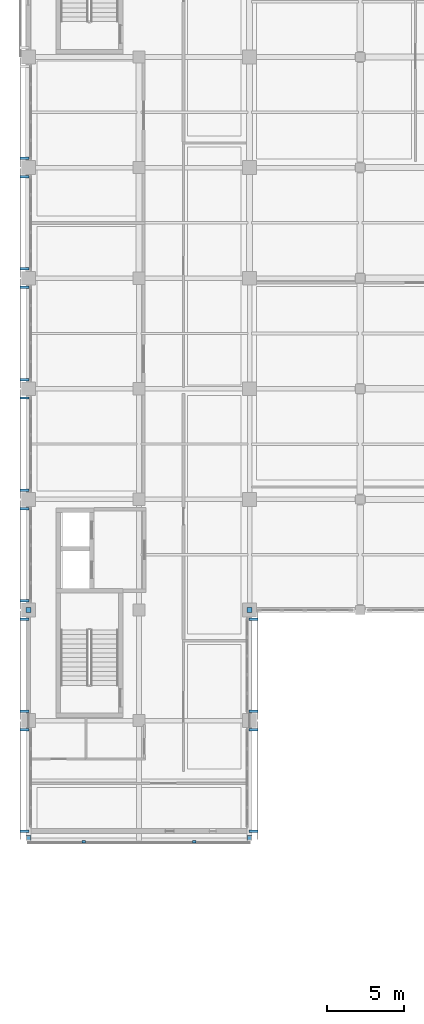
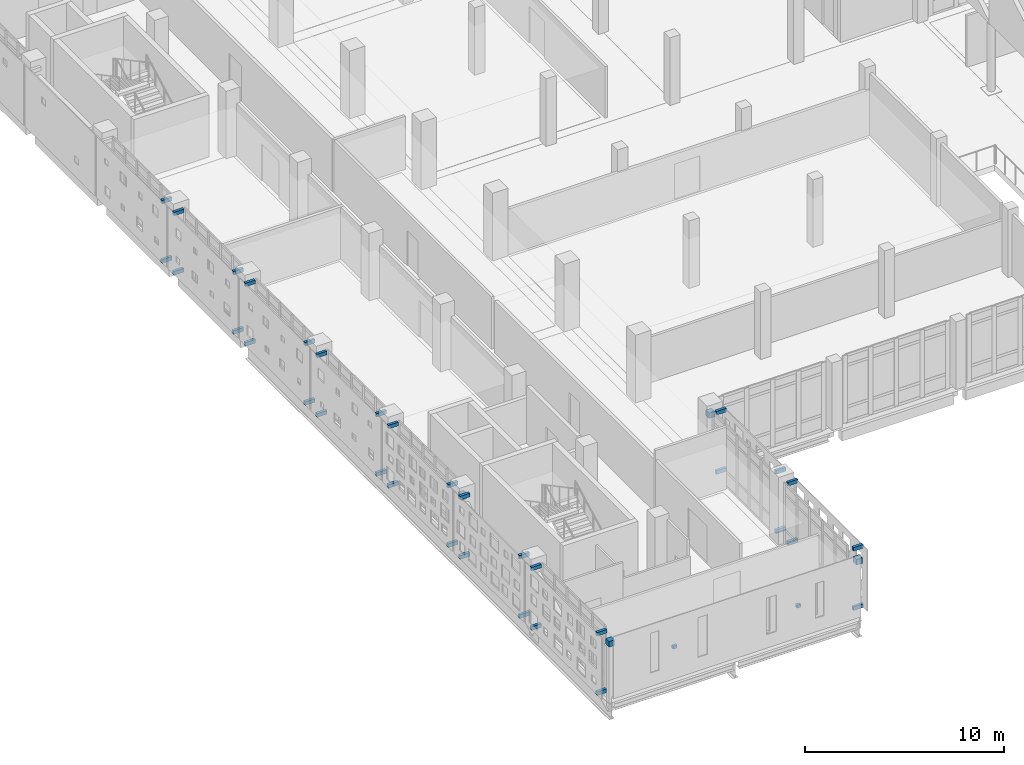
# One storey, part 50 of 62: 40 discrete accessories.
"""IFC4 building model written with IfcOpenShell, lengths in metres."""

from ifc_helpers import new_model, si_unit, direction, frame, origin, origin_2d, place, context, subcontext, project, spatial, rectangle, extrude, material, type_object, element, save


model = new_model("IFC4")

# Units and contexts
model_context = context("Model", 3, precision=1e-05, world=origin(), true_north=direction((0.0, 1.0)))
body_context = subcontext(model_context, "Body", "Model", "MODEL_VIEW")
ifc_project = project(units=[si_unit("LENGTHUNIT", "METRE"), si_unit("AREAUNIT", "SQUARE_METRE"), si_unit("VOLUMEUNIT", "CUBIC_METRE"), si_unit("PLANEANGLEUNIT", "RADIAN"), si_unit("MASSUNIT", "GRAM", prefix="KILO")], contexts=[model_context])

# Site, building, storey
site_placement = place(None, origin())
site = spatial("IfcSite", under=ifc_project, at=site_placement, CompositionType="ELEMENT")
building_placement = place(site_placement, origin())
building = spatial("IfcBuilding", under=site, at=building_placement, Name="Valkovuoma Quantum and Materials Research Institute", CompositionType="ELEMENT")
storey_placement = place(building_placement, frame((0.0, 0.0, 13.1201171875)))
storey = spatial("IfcBuildingStorey", under=building, at=storey_placement, Name="L03", CompositionType="ELEMENT", Elevation=13.1201171875)

# Discrete accessories
ifc_material_1 = material(Name="Steel S355J2", Category="steel")
discrete_accessory_type_1 = type_object("IfcDiscreteAccessoryType", Name="Brk-BRK-01", PredefinedType="BRACKET", material=ifc_material_1)
for number, where, z_axis, x_axis, name in (
    (1, (3.60009765625, 20.919921875, 1.81494140625), (0.0, 0.0, 1.0), (0.0, 1.0, 0.0), "L03 south end skin bracket 1"),
    (2, (10.800048828125, 20.919921875, 1.81494140625), (0.0, 0.0, 1.0), (0.0, 1.0, 0.0), "L03 south end skin bracket 2"),
):
    element("IfcDiscreteAccessory", number, at=place(storey_placement, frame(where, z_axis=z_axis, x_axis=x_axis)), inside=storey, type_object=discrete_accessory_type_1, Name=name, PredefinedType="BRACKET", context=body_context, shape_type="SweptSolid", body=[
        extrude(rectangle(XDim=0.159912109375, YDim=0.239990234375, at=origin_2d()), origin(), (0.0, 0.0, 1.0), 0.179931640625),
    ])
for number, where, z_axis, x_axis, name in (
    (3, (-0.25, 21.60009765625, -0.0302734375), (0.0, 0.0, 1.0), (1.0, 0.0, 0.0), "L03 screen bracket 00097"),
    (4, (-0.25, 28.199951171875, -0.0302734375), (0.0, 0.0, 1.0), (1.0, 0.0, 0.0), "L03 screen bracket 00098"),
    (5, (-0.25, 21.60009765625, 3.6201171875), (0.0, 0.0, 1.0), (1.0, 0.0, 0.0), "L03 screen bracket 00099"),
    (6, (-0.25, 28.199951171875, 3.6201171875), (0.0, 0.0, 1.0), (1.0, 0.0, 0.0), "L03 screen bracket 00100"),
    (7, (14.64990234375, 21.60009765625, -0.0302734375), (0.0, 0.0, 1.0), (1.0, 0.0, 0.0), "L03 screen bracket 00101"),
    (8, (14.64990234375, 28.199951171875, -0.0302734375), (0.0, 0.0, 1.0), (1.0, 0.0, 0.0), "L03 screen bracket 00102"),
    (9, (14.64990234375, 21.60009765625, 3.6201171875), (0.0, 0.0, 1.0), (1.0, 0.0, 0.0), "L03 screen bracket 00103"),
    (10, (14.64990234375, 28.199951171875, 3.6201171875), (0.0, 0.0, 1.0), (1.0, 0.0, 0.0), "L03 screen bracket 00104"),
    (11, (-0.25, 29.39990234375, -0.0302734375), (0.0, 0.0, 1.0), (1.0, 0.0, 0.0), "L03 screen bracket 00105"),
    (12, (-0.25, 35.39990234375, -0.0302734375), (0.0, 0.0, 1.0), (1.0, 0.0, 0.0), "L03 screen bracket 00106"),
    (13, (-0.25, 29.39990234375, 3.6201171875), (0.0, 0.0, 1.0), (1.0, 0.0, 0.0), "L03 screen bracket 00107"),
    (14, (-0.25, 35.39990234375, 3.6201171875), (0.0, 0.0, 1.0), (1.0, 0.0, 0.0), "L03 screen bracket 00108"),
    (15, (14.64990234375, 29.39990234375, -0.0302734375), (0.0, 0.0, 1.0), (1.0, 0.0, 0.0), "L03 screen bracket 00109"),
    (16, (14.64990234375, 35.39990234375, -0.0302734375), (0.0, 0.0, 1.0), (1.0, 0.0, 0.0), "L03 screen bracket 00110"),
    (17, (14.64990234375, 29.39990234375, 3.6201171875), (0.0, 0.0, 1.0), (1.0, 0.0, 0.0), "L03 screen bracket 00111"),
    (18, (14.64990234375, 35.39990234375, 3.6201171875), (0.0, 0.0, 1.0), (1.0, 0.0, 0.0), "L03 screen bracket 00112"),
    (19, (-0.25, 36.60009765625, -0.0302734375), (0.0, 0.0, 1.0), (1.0, 0.0, 0.0), "L03 screen bracket 00113"),
    (20, (-0.25, 42.60009765625, -0.0302734375), (0.0, 0.0, 1.0), (1.0, 0.0, 0.0), "L03 screen bracket 00114"),
    (21, (-0.25, 36.60009765625, 3.6201171875), (0.0, 0.0, 1.0), (1.0, 0.0, 0.0), "L03 screen bracket 00115"),
    (22, (-0.25, 42.60009765625, 3.6201171875), (0.0, 0.0, 1.0), (1.0, 0.0, 0.0), "L03 screen bracket 00116"),
    (23, (-0.25, 43.800048828125, -0.0302734375), (0.0, 0.0, 1.0), (1.0, 0.0, 0.0), "L03 screen bracket 00117"),
    (24, (-0.25, 49.800048828125, -0.0302734375), (0.0, 0.0, 1.0), (1.0, 0.0, 0.0), "L03 screen bracket 00118"),
    (25, (-0.25, 43.800048828125, 3.6201171875), (0.0, 0.0, 1.0), (1.0, 0.0, 0.0), "L03 screen bracket 00119"),
    (26, (-0.25, 49.800048828125, 3.6201171875), (0.0, 0.0, 1.0), (1.0, 0.0, 0.0), "L03 screen bracket 00120"),
    (27, (-0.25, 51.0, -0.0302734375), (0.0, 0.0, 1.0), (1.0, 0.0, 0.0), "L03 screen bracket 00121"),
    (28, (-0.25, 57.0, -0.0302734375), (0.0, 0.0, 1.0), (1.0, 0.0, 0.0), "L03 screen bracket 00122"),
    (29, (-0.25, 51.0, 3.6201171875), (0.0, 0.0, 1.0), (1.0, 0.0, 0.0), "L03 screen bracket 00123"),
    (30, (-0.25, 57.0, 3.6201171875), (0.0, 0.0, 1.0), (1.0, 0.0, 0.0), "L03 screen bracket 00124"),
    (31, (-0.25, 58.199951171875, -0.0302734375), (0.0, 0.0, 1.0), (1.0, 0.0, 0.0), "L03 screen bracket 00125"),
    (32, (-0.25, 64.199951171875, -0.0302734375), (0.0, 0.0, 1.0), (1.0, 0.0, 0.0), "L03 screen bracket 00126"),
    (33, (-0.25, 58.199951171875, 3.6201171875), (0.0, 0.0, 1.0), (1.0, 0.0, 0.0), "L03 screen bracket 00127"),
    (34, (-0.25, 64.199951171875, 3.6201171875), (0.0, 0.0, 1.0), (1.0, 0.0, 0.0), "L03 screen bracket 00128"),
    (35, (-0.25, 65.39990234375, -0.0302734375), (0.0, 0.0, 1.0), (1.0, 0.0, 0.0), "L03 screen bracket 00129"),
    (36, (-0.25, 65.39990234375, 3.6201171875), (0.0, 0.0, 1.0), (1.0, 0.0, 0.0), "L03 screen bracket 00131"),
):
    element("IfcDiscreteAccessory", number, at=place(storey_placement, frame(where, z_axis=z_axis, x_axis=x_axis)), inside=storey, type_object=discrete_accessory_type_1, Name=name, PredefinedType="BRACKET", context=body_context, shape_type="SweptSolid", body=[
        extrude(rectangle(XDim=0.580078125, YDim=0.159912109375, at=origin_2d()), origin(), (0.0, 0.0, 1.0), 0.219970703125),
    ])
ifc_material_2 = material(Name="Steel S355J2", Category="steel")
discrete_accessory_type_2 = type_object("IfcDiscreteAccessoryType", Name="Conn-END-01", PredefinedType="BRACKET", material=ifc_material_2)
for number, where, z_axis, x_axis, name in (
    (37, (0.0, 21.14990234375, 3.1396484375), (0.0, 0.0, 1.0), (1.0, 0.0, 0.0), "L03 brace end connection assembly 0015"),
    (38, (0.0, 36.0, 3.1396484375), (0.0, 0.0, 1.0), (1.0, 0.0, 0.0), "L03 brace end connection assembly 0016"),
    (39, (14.39990234375, 21.14990234375, 3.1396484375), (0.0, 0.0, 1.0), (1.0, 0.0, 0.0), "L03 brace end connection assembly 0017"),
    (40, (14.39990234375, 36.0, 3.1396484375), (0.0, 0.0, 1.0), (1.0, 0.0, 0.0), "L03 brace end connection assembly 0018"),
):
    element("IfcDiscreteAccessory", number, at=place(storey_placement, frame(where, z_axis=z_axis, x_axis=x_axis)), inside=storey, type_object=discrete_accessory_type_2, Name=name, PredefinedType="BRACKET", context=body_context, shape_type="SweptSolid", body=[
        extrude(rectangle(XDim=0.340087890625, YDim=0.340087890625, at=origin_2d()), origin(), (0.0, 0.0, 1.0), 0.340087890625),
    ])

save(model, "model.ifc")
